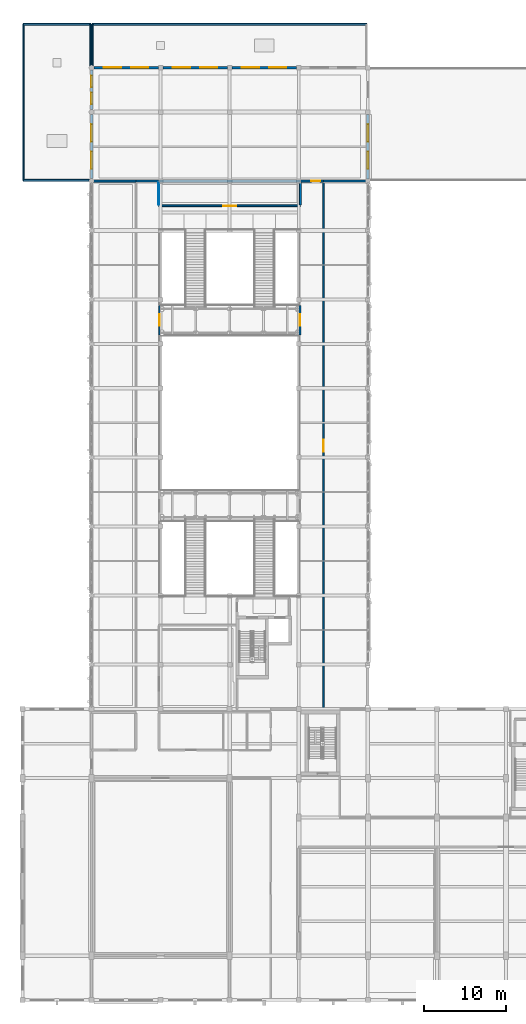
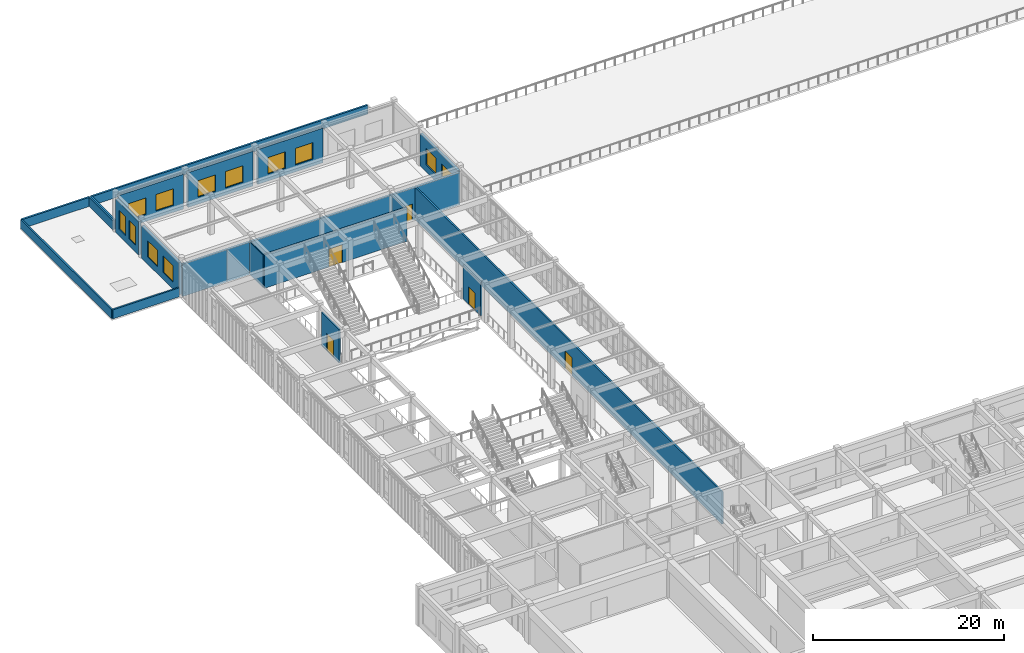
# One storey, part 77 of 93: 23 walls, 12 windows, 5 doors, 17 openings.
"""IFC4 building model written with IfcOpenShell, lengths in metres."""

from ifc_helpers import new_model, si_unit, direction, frame, frame_2d, origin, place, context, subcontext, project, spatial, rectangle, extrude, material, layer, layer_set, type_object, element, fill, save


model = new_model("IFC4")

# Units and contexts
model_context = context("Model", 3, precision=1e-05, world=origin(), true_north=direction((0.0, 1.0)))
body_context = subcontext(model_context, "Body", "Model", "MODEL_VIEW")
ifc_project = project(units=[si_unit("LENGTHUNIT", "METRE"), si_unit("AREAUNIT", "SQUARE_METRE"), si_unit("VOLUMEUNIT", "CUBIC_METRE"), si_unit("PLANEANGLEUNIT", "RADIAN"), si_unit("MASSUNIT", "GRAM", prefix="KILO")], contexts=[model_context])

# Site, building, storey
site_placement = place(None, origin())
site = spatial("IfcSite", under=ifc_project, at=site_placement, CompositionType="ELEMENT")
building_placement = place(site_placement, origin())
building = spatial("IfcBuilding", under=site, at=building_placement, Name="Krzemoval Escarpment Law Courts", CompositionType="ELEMENT")
storey_placement = place(building_placement, frame((0.0, 0.0, 10.199951171875)))
storey = spatial("IfcBuildingStorey", under=building, at=storey_placement, Name="L02", CompositionType="ELEMENT", Elevation=10.199951171875)

# Wall, openings, windows
ifc_material_1 = material(Name="Precast concrete C40/50", Category="concrete")
ifc_layer_1 = layer(ifc_material_1, 0.300048828125)
ifc_layer_set_1 = layer_set([ifc_layer_1], Name="Precast concrete C40/50")
wall_type_1 = type_object("IfcWallType", Name="WL-EXT-300", PredefinedType="SOLIDWALL", material=ifc_layer_set_1)
wall_1_placement = place(storey_placement, frame((8.39990234375, 99.89990234375, 0.0), z_axis=(0.0, 0.0, 1.0), x_axis=(0.0, 1.0, 0.0)))
wall_1 = element("IfcWall", 1, at=wall_1_placement, inside=storey, type_object=wall_type_1, Name="Exterior Wall EW-L02-0267", PredefinedType="SOLIDWALL", context=body_context, shape_type="SweptSolid", body=[
    extrude(rectangle(XDim=7.800048828125, YDim=0.300048828125, at=frame_2d((3.89990234375, 0.0))), origin(), (0.0, 0.0, 1.0), 4.1201171875),
])
opening_1_placement = place(wall_1_placement, frame((1.199951171875, 0.0, 0.89990234375)))
opening_1 = element("IfcOpeningElement", 2, at=opening_1_placement, cuts=wall_1, Name="Opening WN-L02-0282", PredefinedType="OPENING", context=body_context, shape_type="SweptSolid", body=[
    extrude(rectangle(XDim=2.10009765625, YDim=2.10009765625, at=frame_2d((1.050048828125, 1.050048828125))), frame((0.0, 0.16502, 0.0), z_axis=(0.0, -1.0, 0.0), x_axis=(1.0, 0.0, 0.0)), (0.0, 0.0, 1.0), 0.33005),
])
opening_2_placement = place(wall_1_placement, frame((4.5, 0.0, 0.89990234375)))
opening_2 = element("IfcOpeningElement", 3, at=opening_2_placement, cuts=wall_1, Name="Opening WN-L02-0283", PredefinedType="OPENING", context=body_context, shape_type="SweptSolid", body=[
    extrude(rectangle(XDim=2.10009765625, YDim=2.10009765625, at=frame_2d((1.050048828125, 1.050048828125))), frame((0.0, 0.16502, 0.0), z_axis=(0.0, -1.0, 0.0), x_axis=(1.0, 0.0, 0.0)), (0.0, 0.0, 1.0), 0.33005),
])
ifc_material_2 = material(Name="Thermally Broken Aluminium Frame with Triple Low-E Acoustic Glass", Category="aluminium")
window_type_1 = type_object("IfcWindowType", Name="WN-2100x2100", PartitioningType="SINGLE_PANEL", PredefinedType="WINDOW", material=ifc_material_2)
window_1_placement = place(opening_1_placement, origin())
window_1 = element("IfcWindow", 4, at=window_1_placement, inside=storey, type_object=window_type_1, Name="Facade Window WN-L02-0282", OverallHeight=2.10009765625, OverallWidth=2.10009765625, PartitioningType="SINGLE_PANEL", PredefinedType="WINDOW", context=body_context, shape_type="SweptSolid", body=[
    extrude(rectangle(XDim=2.10009765625, YDim=2.10009765625, at=frame_2d((1.050048828125, 1.050048828125))), frame((0.0, 0.030029296875, 0.0), z_axis=(0.0, -1.0, 0.0), x_axis=(1.0, 0.0, 0.0)), (0.0, 0.0, 1.0), 0.06005859375),
])
fill(opening_1, window_1)
window_2_placement = place(opening_2_placement, origin())
window_2 = element("IfcWindow", 5, at=window_2_placement, inside=storey, type_object=window_type_1, Name="Facade Window WN-L02-0283", OverallHeight=2.10009765625, OverallWidth=2.10009765625, PartitioningType="SINGLE_PANEL", PredefinedType="WINDOW", context=body_context, shape_type="SweptSolid", body=[
    extrude(rectangle(XDim=2.10009765625, YDim=2.10009765625, at=frame_2d((1.050048828125, 1.050048828125))), frame((0.0, 0.030029296875, 0.0), z_axis=(0.0, -1.0, 0.0), x_axis=(1.0, 0.0, 0.0)), (0.0, 0.0, 1.0), 0.06005859375),
])
fill(opening_2, window_2)

wall_2_placement = place(storey_placement, frame((8.39990234375, 108.300048828125, 0.0), z_axis=(0.0, 0.0, 1.0), x_axis=(0.0, 1.0, 0.0)))
wall_2 = element("IfcWall", 6, at=wall_2_placement, inside=storey, type_object=wall_type_1, Name="Exterior Wall EW-L02-0268", PredefinedType="SOLIDWALL", context=body_context, shape_type="SweptSolid", body=[
    extrude(rectangle(XDim=4.800048828125, YDim=0.300048828125, at=frame_2d((2.39990234375, 0.0))), origin(), (0.0, 0.0, 1.0), 4.27001953125),
])
opening_3_placement = place(wall_2_placement, frame((0.6669921875, 0.0, 0.85009765625)))
opening_3 = element("IfcOpeningElement", 7, at=opening_3_placement, cuts=wall_2, Name="Opening WN-L02-0284", PredefinedType="OPENING", context=body_context, shape_type="SweptSolid", body=[
    extrude(rectangle(XDim=1.39990234375, YDim=2.39990234375, at=frame_2d((0.699951171875, 1.199951171875))), frame((0.0, 0.16502, 0.0), z_axis=(0.0, -1.0, 0.0), x_axis=(1.0, 0.0, 0.0)), (0.0, 0.0, 1.0), 0.33005),
])
opening_4_placement = place(wall_2_placement, frame((2.73291015625, 0.0, 0.85009765625)))
opening_4 = element("IfcOpeningElement", 8, at=opening_4_placement, cuts=wall_2, Name="Opening WN-L02-0285", PredefinedType="OPENING", context=body_context, shape_type="SweptSolid", body=[
    extrude(rectangle(XDim=1.39990234375, YDim=2.39990234375, at=frame_2d((0.699951171875, 1.199951171875))), frame((0.0, 0.16502, 0.0), z_axis=(0.0, -1.0, 0.0), x_axis=(1.0, 0.0, 0.0)), (0.0, 0.0, 1.0), 0.33005),
])
ifc_material_3 = material(Name="Thermally Broken Aluminium Frame with Triple Low-E Acoustic Glass", Category="aluminium")
window_type_2 = type_object("IfcWindowType", Name="WN-1400x2400", PartitioningType="SINGLE_PANEL", PredefinedType="WINDOW", material=ifc_material_3)
window_3_placement = place(opening_3_placement, origin())
window_3 = element("IfcWindow", 9, at=window_3_placement, inside=storey, type_object=window_type_2, Name="Facade Window WN-L02-0284", OverallHeight=2.39990234375, OverallWidth=1.39990234375, PartitioningType="SINGLE_PANEL", PredefinedType="WINDOW", context=body_context, shape_type="SweptSolid", body=[
    extrude(rectangle(XDim=1.39990234375, YDim=2.39990234375, at=frame_2d((0.699951171875, 1.199951171875))), frame((0.0, 0.030029296875, 0.0), z_axis=(0.0, -1.0, 0.0), x_axis=(1.0, 0.0, 0.0)), (0.0, 0.0, 1.0), 0.06005859375),
])
fill(opening_3, window_3)
window_4_placement = place(opening_4_placement, origin())
window_4 = element("IfcWindow", 10, at=window_4_placement, inside=storey, type_object=window_type_2, Name="Facade Window WN-L02-0285", OverallHeight=2.39990234375, OverallWidth=1.39990234375, PartitioningType="SINGLE_PANEL", PredefinedType="WINDOW", context=body_context, shape_type="SweptSolid", body=[
    extrude(rectangle(XDim=1.39990234375, YDim=2.39990234375, at=frame_2d((0.699951171875, 1.199951171875))), frame((0.0, 0.030029296875, 0.0), z_axis=(0.0, -1.0, 0.0), x_axis=(1.0, 0.0, 0.0)), (0.0, 0.0, 1.0), 0.06005859375),
])
fill(opening_4, window_4)

wall_3_placement = place(storey_placement, frame((8.699951171875, 113.39990234375, 0.0), z_axis=(0.0, 0.0, 1.0), x_axis=(1.0, 0.0, 0.0)))
wall_3 = element("IfcWall", 11, at=wall_3_placement, inside=storey, type_object=wall_type_1, Name="Exterior Wall EW-L02-0269", PredefinedType="SOLIDWALL", context=body_context, shape_type="SweptSolid", body=[
    extrude(rectangle(XDim=7.824951171875, YDim=0.300048828125, at=frame_2d((3.91259765625, 0.0))), origin(), (0.0, 0.0, 1.0), 4.429931640625),
])
opening_5_placement = place(wall_3_placement, frame((1.2080078125, 0.0, 0.89990234375)))
opening_5 = element("IfcOpeningElement", 12, at=opening_5_placement, cuts=wall_3, Name="Opening WN-L02-0286", PredefinedType="OPENING", context=body_context, shape_type="SweptSolid", body=[
    extrude(rectangle(XDim=2.10009765625, YDim=2.10009765625, at=frame_2d((1.050048828125, 1.050048828125))), frame((0.0, 0.16502, 0.0), z_axis=(0.0, -1.0, 0.0), x_axis=(1.0, 0.0, 0.0)), (0.0, 0.0, 1.0), 0.33005),
])
opening_6_placement = place(wall_3_placement, frame((4.51708984375, 0.0, 0.89990234375)))
opening_6 = element("IfcOpeningElement", 13, at=opening_6_placement, cuts=wall_3, Name="Opening WN-L02-0287", PredefinedType="OPENING", context=body_context, shape_type="SweptSolid", body=[
    extrude(rectangle(XDim=2.10009765625, YDim=2.10009765625, at=frame_2d((1.050048828125, 1.050048828125))), frame((0.0, 0.16502, 0.0), z_axis=(0.0, -1.0, 0.0), x_axis=(1.0, 0.0, 0.0)), (0.0, 0.0, 1.0), 0.33005),
])
window_5_placement = place(opening_5_placement, origin())
window_5 = element("IfcWindow", 14, at=window_5_placement, inside=storey, type_object=window_type_1, Name="Facade Window WN-L02-0286", OverallHeight=2.10009765625, OverallWidth=2.10009765625, PartitioningType="SINGLE_PANEL", PredefinedType="WINDOW", context=body_context, shape_type="SweptSolid", body=[
    extrude(rectangle(XDim=2.10009765625, YDim=2.10009765625, at=frame_2d((1.050048828125, 1.050048828125))), frame((0.0, 0.030029296875, 0.0), z_axis=(0.0, -1.0, 0.0), x_axis=(1.0, 0.0, 0.0)), (0.0, 0.0, 1.0), 0.06005859375),
])
fill(opening_5, window_5)
window_6_placement = place(opening_6_placement, origin())
window_6 = element("IfcWindow", 15, at=window_6_placement, inside=storey, type_object=window_type_1, Name="Facade Window WN-L02-0287", OverallHeight=2.10009765625, OverallWidth=2.10009765625, PartitioningType="SINGLE_PANEL", PredefinedType="WINDOW", context=body_context, shape_type="SweptSolid", body=[
    extrude(rectangle(XDim=2.10009765625, YDim=2.10009765625, at=frame_2d((1.050048828125, 1.050048828125))), frame((0.0, 0.030029296875, 0.0), z_axis=(0.0, -1.0, 0.0), x_axis=(1.0, 0.0, 0.0)), (0.0, 0.0, 1.0), 0.06005859375),
])
fill(opening_6, window_6)

wall_4_placement = place(storey_placement, frame((17.074951171875, 113.39990234375, 0.0), z_axis=(0.0, 0.0, 1.0), x_axis=(1.0, 0.0, 0.0)))
wall_4 = element("IfcWall", 16, at=wall_4_placement, inside=storey, type_object=wall_type_1, Name="Exterior Wall EW-L02-0270", PredefinedType="SOLIDWALL", context=body_context, shape_type="SweptSolid", body=[
    extrude(rectangle(XDim=7.85009765625, YDim=0.300048828125, at=frame_2d((3.925048828125, 0.0))), origin(), (0.0, 0.0, 1.0), 4.429931640625),
])
opening_7_placement = place(wall_4_placement, frame((1.217041015625, 0.0, 0.89990234375)))
opening_7 = element("IfcOpeningElement", 17, at=opening_7_placement, cuts=wall_4, Name="Opening WN-L02-0288", PredefinedType="OPENING", context=body_context, shape_type="SweptSolid", body=[
    extrude(rectangle(XDim=2.10009765625, YDim=2.10009765625, at=frame_2d((1.050048828125, 1.050048828125))), frame((0.0, 0.16502, 0.0), z_axis=(0.0, -1.0, 0.0), x_axis=(1.0, 0.0, 0.0)), (0.0, 0.0, 1.0), 0.33005),
])
opening_8_placement = place(wall_4_placement, frame((4.532958984375, 0.0, 0.89990234375)))
opening_8 = element("IfcOpeningElement", 18, at=opening_8_placement, cuts=wall_4, Name="Opening WN-L02-0289", PredefinedType="OPENING", context=body_context, shape_type="SweptSolid", body=[
    extrude(rectangle(XDim=2.10009765625, YDim=2.10009765625, at=frame_2d((1.050048828125, 1.050048828125))), frame((0.0, 0.16502, 0.0), z_axis=(0.0, -1.0, 0.0), x_axis=(1.0, 0.0, 0.0)), (0.0, 0.0, 1.0), 0.33005),
])
window_7_placement = place(opening_7_placement, origin())
window_7 = element("IfcWindow", 19, at=window_7_placement, inside=storey, type_object=window_type_1, Name="Facade Window WN-L02-0288", OverallHeight=2.10009765625, OverallWidth=2.10009765625, PartitioningType="SINGLE_PANEL", PredefinedType="WINDOW", context=body_context, shape_type="SweptSolid", body=[
    extrude(rectangle(XDim=2.10009765625, YDim=2.10009765625, at=frame_2d((1.050048828125, 1.050048828125))), frame((0.0, 0.030029296875, 0.0), z_axis=(0.0, -1.0, 0.0), x_axis=(1.0, 0.0, 0.0)), (0.0, 0.0, 1.0), 0.06005859375),
])
fill(opening_7, window_7)
window_8_placement = place(opening_8_placement, origin())
window_8 = element("IfcWindow", 20, at=window_8_placement, inside=storey, type_object=window_type_1, Name="Facade Window WN-L02-0289", OverallHeight=2.10009765625, OverallWidth=2.10009765625, PartitioningType="SINGLE_PANEL", PredefinedType="WINDOW", context=body_context, shape_type="SweptSolid", body=[
    extrude(rectangle(XDim=2.10009765625, YDim=2.10009765625, at=frame_2d((1.050048828125, 1.050048828125))), frame((0.0, 0.030029296875, 0.0), z_axis=(0.0, -1.0, 0.0), x_axis=(1.0, 0.0, 0.0)), (0.0, 0.0, 1.0), 0.06005859375),
])
fill(opening_8, window_8)

wall_5_placement = place(storey_placement, frame((25.47509765625, 113.39990234375, 0.0), z_axis=(0.0, 0.0, 1.0), x_axis=(1.0, 0.0, 0.0)))
wall_5 = element("IfcWall", 21, at=wall_5_placement, inside=storey, type_object=wall_type_1, Name="Exterior Wall EW-L02-0271", PredefinedType="SOLIDWALL", context=body_context, shape_type="SweptSolid", body=[
    extrude(rectangle(XDim=7.849853515625, YDim=0.300048828125, at=frame_2d((3.9248046875, 0.0))), origin(), (0.0, 0.0, 1.0), 4.429931640625),
])
opening_9_placement = place(wall_5_placement, frame((1.217041015625, 0.0, 0.89990234375)))
opening_9 = element("IfcOpeningElement", 22, at=opening_9_placement, cuts=wall_5, Name="Opening WN-L02-0290", PredefinedType="OPENING", context=body_context, shape_type="SweptSolid", body=[
    extrude(rectangle(XDim=2.10009765625, YDim=2.10009765625, at=frame_2d((1.050048828125, 1.050048828125))), frame((0.0, 0.16502, 0.0), z_axis=(0.0, -1.0, 0.0), x_axis=(1.0, 0.0, 0.0)), (0.0, 0.0, 1.0), 0.33005),
])
opening_10_placement = place(wall_5_placement, frame((4.532958984375, 0.0, 0.89990234375)))
opening_10 = element("IfcOpeningElement", 23, at=opening_10_placement, cuts=wall_5, Name="Opening WN-L02-0291", PredefinedType="OPENING", context=body_context, shape_type="SweptSolid", body=[
    extrude(rectangle(XDim=2.10009765625, YDim=2.10009765625, at=frame_2d((1.050048828125, 1.050048828125))), frame((0.0, 0.16502, 0.0), z_axis=(0.0, -1.0, 0.0), x_axis=(1.0, 0.0, 0.0)), (0.0, 0.0, 1.0), 0.33005),
])
window_9_placement = place(opening_9_placement, origin())
window_9 = element("IfcWindow", 24, at=window_9_placement, inside=storey, type_object=window_type_1, Name="Facade Window WN-L02-0290", OverallHeight=2.10009765625, OverallWidth=2.10009765625, PartitioningType="SINGLE_PANEL", PredefinedType="WINDOW", context=body_context, shape_type="SweptSolid", body=[
    extrude(rectangle(XDim=2.10009765625, YDim=2.10009765625, at=frame_2d((1.050048828125, 1.050048828125))), frame((0.0, 0.030029296875, 0.0), z_axis=(0.0, -1.0, 0.0), x_axis=(1.0, 0.0, 0.0)), (0.0, 0.0, 1.0), 0.06005859375),
])
fill(opening_9, window_9)
window_10_placement = place(opening_10_placement, origin())
window_10 = element("IfcWindow", 25, at=window_10_placement, inside=storey, type_object=window_type_1, Name="Facade Window WN-L02-0291", OverallHeight=2.10009765625, OverallWidth=2.10009765625, PartitioningType="SINGLE_PANEL", PredefinedType="WINDOW", context=body_context, shape_type="SweptSolid", body=[
    extrude(rectangle(XDim=2.10009765625, YDim=2.10009765625, at=frame_2d((1.050048828125, 1.050048828125))), frame((0.0, 0.030029296875, 0.0), z_axis=(0.0, -1.0, 0.0), x_axis=(1.0, 0.0, 0.0)), (0.0, 0.0, 1.0), 0.06005859375),
])
fill(opening_10, window_10)

wall_6_placement = place(storey_placement, frame((42.0, 107.72509765625, 0.0), z_axis=(0.0, 0.0, 1.0), x_axis=(0.0, -1.0, 0.0)))
wall_6 = element("IfcWall", 26, at=wall_6_placement, inside=storey, type_object=wall_type_1, Name="Exterior Wall EW-L02-0274", PredefinedType="SOLIDWALL", context=body_context, shape_type="SweptSolid", body=[
    extrude(rectangle(XDim=7.85009765625, YDim=0.300048828125, at=frame_2d((3.925048828125, 0.0))), origin(), (0.0, 0.0, 1.0), 4.1201171875),
])
opening_11_placement = place(wall_6_placement, frame((1.217041015625, 0.0, 0.89990234375)))
opening_11 = element("IfcOpeningElement", 27, at=opening_11_placement, cuts=wall_6, Name="Opening WN-L02-0294", PredefinedType="OPENING", context=body_context, shape_type="SweptSolid", body=[
    extrude(rectangle(XDim=2.10009765625, YDim=2.10009765625, at=frame_2d((1.050048828125, 1.050048828125))), frame((0.0, 0.16502, 0.0), z_axis=(0.0, -1.0, 0.0), x_axis=(1.0, 0.0, 0.0)), (0.0, 0.0, 1.0), 0.33005),
])
opening_12_placement = place(wall_6_placement, frame((4.532958984375, 0.0, 0.89990234375)))
opening_12 = element("IfcOpeningElement", 28, at=opening_12_placement, cuts=wall_6, Name="Opening WN-L02-0295", PredefinedType="OPENING", context=body_context, shape_type="SweptSolid", body=[
    extrude(rectangle(XDim=2.10009765625, YDim=2.10009765625, at=frame_2d((1.050048828125, 1.050048828125))), frame((0.0, 0.16502, 0.0), z_axis=(0.0, -1.0, 0.0), x_axis=(1.0, 0.0, 0.0)), (0.0, 0.0, 1.0), 0.33005),
])
window_11_placement = place(opening_11_placement, origin())
window_11 = element("IfcWindow", 29, at=window_11_placement, inside=storey, type_object=window_type_1, Name="Facade Window WN-L02-0294", OverallHeight=2.10009765625, OverallWidth=2.10009765625, PartitioningType="SINGLE_PANEL", PredefinedType="WINDOW", context=body_context, shape_type="SweptSolid", body=[
    extrude(rectangle(XDim=2.10009765625, YDim=2.10009765625, at=frame_2d((1.050048828125, 1.050048828125))), frame((0.0, 0.030029296875, 0.0), z_axis=(0.0, -1.0, 0.0), x_axis=(1.0, 0.0, 0.0)), (0.0, 0.0, 1.0), 0.06005859375),
])
fill(opening_11, window_11)
window_12_placement = place(opening_12_placement, origin())
window_12 = element("IfcWindow", 30, at=window_12_placement, inside=storey, type_object=window_type_1, Name="Facade Window WN-L02-0295", OverallHeight=2.10009765625, OverallWidth=2.10009765625, PartitioningType="SINGLE_PANEL", PredefinedType="WINDOW", context=body_context, shape_type="SweptSolid", body=[
    extrude(rectangle(XDim=2.10009765625, YDim=2.10009765625, at=frame_2d((1.050048828125, 1.050048828125))), frame((0.0, 0.030029296875, 0.0), z_axis=(0.0, -1.0, 0.0), x_axis=(1.0, 0.0, 0.0)), (0.0, 0.0, 1.0), 0.06005859375),
])
fill(opening_12, window_12)

# Walls
ifc_material_4 = material(Name="Precast concrete C40/50", Category="concrete")
ifc_layer_2 = layer(ifc_material_4, 0.179931640625)
ifc_layer_set_2 = layer_set([ifc_layer_2], Name="Precast concrete C40/50")
wall_type_2 = type_object("IfcWallType", Name="WL-PAR-180", PredefinedType="PARAPET", material=ifc_layer_set_2)
wall_7_placement = place(storey_placement, frame((8.2900390625, 113.6240234375, 0.0), z_axis=(0.0, 0.0, 1.0), x_axis=(0.0, 1.0, 0.0)))
element("IfcWall", 31, at=wall_7_placement, inside=storey, type_object=wall_type_2, Name="Roof Parapet PR-L02-002", PredefinedType="PARAPET", context=body_context, shape_type="SweptSolid", body=[
    extrude(rectangle(XDim=5.06591796875, YDim=0.179931640625, at=frame_2d((2.532958984375, 0.0))), origin(), (0.0, 0.0, 1.0), 1.150146484375),
])
ifc_material_5 = material(Name="Precast concrete C40/50", Category="concrete")
ifc_layer_3 = layer(ifc_material_5, 0.199951171875)
ifc_layer_set_3 = layer_set([ifc_layer_3], Name="Precast concrete C40/50")
wall_type_3 = type_object("IfcWallType", Name="WL-PAR-200", PredefinedType="PARAPET", material=ifc_layer_set_3)
wall_8_placement = place(storey_placement, frame((0.110107421875, 99.7099609375, 0.0), z_axis=(0.0, 0.0, 1.0), x_axis=(1.0, 0.0, 0.0)))
element("IfcWall", 32, at=wall_8_placement, inside=storey, type_object=wall_type_3, Name="Roof Parapet PR-L02-001", PredefinedType="PARAPET", context=body_context, shape_type="SweptSolid", body=[
    extrude(rectangle(XDim=8.039794921875, YDim=0.199951171875, at=frame_2d((4.02001953125, 0.0))), origin(), (0.0, 0.0, 1.0), 1.150146484375),
])
wall_9_placement = place(storey_placement, frame((0.110107421875, 118.68994140625, 0.0), z_axis=(0.0, 0.0, 1.0), x_axis=(0.0, -1.0, 0.0)))
element("IfcWall", 33, at=wall_9_placement, inside=storey, type_object=wall_type_3, Name="Roof Parapet PR-L02-004", PredefinedType="PARAPET", context=body_context, shape_type="SweptSolid", body=[
    extrude(rectangle(XDim=18.97998046875, YDim=0.199951171875, at=frame_2d((9.489990234375, 0.0))), origin(), (0.0, 0.0, 1.0), 1.150146484375),
])
wall_10_placement = place(storey_placement, frame((8.510009765625, 118.68994140625, 0.0), z_axis=(0.0, 0.0, 1.0), x_axis=(0.0, -1.0, 0.0)))
element("IfcWall", 34, at=wall_10_placement, inside=storey, type_object=wall_type_3, Name="Roof Parapet PR-L02-007", PredefinedType="PARAPET", context=body_context, shape_type="SweptSolid", body=[
    extrude(rectangle(XDim=5.0400390625, YDim=0.199951171875, at=frame_2d((2.52001953125, 0.0))), origin(), (0.0, 0.0, 1.0), 1.150146484375),
])
ifc_material_6 = material(Name="Precast concrete C40/50", Category="concrete")
ifc_layer_4 = layer(ifc_material_6, 0.219970703125)
ifc_layer_set_4 = layer_set([ifc_layer_4], Name="Precast concrete C40/50")
wall_type_4 = type_object("IfcWallType", Name="WL-PAR-220", PredefinedType="PARAPET", material=ifc_layer_set_4)
wall_11_placement = place(storey_placement, frame((8.2900390625, 118.68994140625, 0.0), z_axis=(0.0, 0.0, 1.0), x_axis=(-1.0, 0.0, 0.0)))
element("IfcWall", 35, at=wall_11_placement, inside=storey, type_object=wall_type_4, Name="Roof Parapet PR-L02-003", PredefinedType="PARAPET", context=body_context, shape_type="SweptSolid", body=[
    extrude(rectangle(XDim=8.179931640625, YDim=0.219970703125, at=frame_2d((4.08984375, 0.0))), origin(), (0.0, 0.0, 1.0), 1.150146484375),
])
wall_12_placement = place(storey_placement, frame((41.85009765625, 118.68994140625, 0.0), z_axis=(0.0, 0.0, 1.0), x_axis=(-1.0, 0.0, 0.0)))
element("IfcWall", 36, at=wall_12_placement, inside=storey, type_object=wall_type_4, Name="Roof Parapet PR-L02-006", PredefinedType="PARAPET", context=body_context, shape_type="SweptSolid", body=[
    extrude(rectangle(XDim=33.340087890625, YDim=0.219970703125, at=frame_2d((16.669921875, 0.0))), origin(), (0.0, 0.0, 1.0), 1.150146484375),
])
ifc_material_7 = material(Name="Light Internal Subdivision Partition", Category="gypsum")
ifc_layer_5 = layer(ifc_material_7, 0.114990234375)
ifc_layer_set_5 = layer_set([ifc_layer_5], Name="Light Internal Subdivision Partition")
wall_type_5 = type_object("IfcWallType", Name="WL-PRT-115", PredefinedType="PARTITIONING", material=ifc_layer_set_5)
wall_13_placement = place(storey_placement, frame((16.60009765625, 96.701904296875, 0.0), z_axis=(0.0, 0.0, 1.0), x_axis=(0.0, 1.0, 0.0)))
element("IfcWall", 37, at=wall_13_placement, inside=storey, type_object=wall_type_5, Name="Interior Partition PW-L02-0429", PredefinedType="PARTITIONING", context=body_context, shape_type="SweptSolid", body=[
    extrude(rectangle(XDim=2.76611328125, YDim=0.114990234375, at=frame_2d((1.383056640625, 0.0))), origin(), (0.0, 0.0, 1.0), 4.1201171875),
])

# Wall, opening, door
ifc_material_8 = material(Name="Fire-Rated Corridor Partition Wall", Category="gypsum")
ifc_layer_6 = layer(ifc_material_8, 0.199951171875)
ifc_layer_set_6 = layer_set([ifc_layer_6], Name="Fire-Rated Corridor Partition Wall")
wall_type_6 = type_object("IfcWallType", Name="WL-PRT-200", PredefinedType="PARTITIONING", material=ifc_layer_set_6)
wall_14_placement = place(storey_placement, frame((16.64990234375, 80.8701171875, 0.0), z_axis=(0.0, 0.0, 1.0), x_axis=(0.0, 1.0, 0.0)))
wall_14 = element("IfcWall", 38, at=wall_14_placement, inside=storey, type_object=wall_type_6, Name="Atrium Bridge Smoke Portal Wall PW-L02-0009", PredefinedType="PARTITIONING", context=body_context, shape_type="SweptSolid", body=[
    extrude(rectangle(XDim=3.6298828125, YDim=0.199951171875, at=frame_2d((1.81494140625, 0.0))), origin(), (0.0, 0.0, 1.0), 4.27001953125),
])
opening_13_placement = place(wall_14_placement, frame((1.114990234375, 0.0, 0.0)))
opening_13 = element("IfcOpeningElement", 39, at=opening_13_placement, cuts=wall_14, Name="Opening D-L02-0009", PredefinedType="OPENING", context=body_context, shape_type="SweptSolid", body=[
    extrude(rectangle(XDim=1.39990234375, YDim=2.199951171875, at=frame_2d((0.699951171875, 1.10009765625))), frame((0.0, 0.11498, 0.0), z_axis=(0.0, -1.0, 0.0), x_axis=(1.0, 0.0, 0.0)), (0.0, 0.0, 1.0), 0.22995),
])
ifc_material_9 = material(Name="Galvanised Steel S355", Category="steel")
door_type_1 = type_object("IfcDoorType", Name="DR-FFL-1400x2200", OperationType="SINGLE_SWING_LEFT", PredefinedType="DOOR", material=ifc_material_9)
door_1_placement = place(opening_13_placement, origin())
door_1 = element("IfcDoor", 40, at=door_1_placement, inside=storey, type_object=door_type_1, Name="Atrium Bridge Smoke Door D-L02-0009", OperationType="SINGLE_SWING_LEFT", OverallHeight=2.199951171875, OverallWidth=1.39990234375, PredefinedType="DOOR", context=body_context, shape_type="SweptSolid", body=[
    extrude(rectangle(XDim=1.39990234375, YDim=2.199951171875, at=frame_2d((0.699951171875, 1.10009765625))), frame((0.0, 0.02490234375, 0.0), z_axis=(0.0, -1.0, 0.0), x_axis=(1.0, 0.0, 0.0)), (0.0, 0.0, 1.0), 0.050048828125),
])
fill(opening_13, door_1)

wall_15_placement = place(storey_placement, frame((33.75, 80.8701171875, 0.0), z_axis=(0.0, 0.0, 1.0), x_axis=(0.0, 1.0, 0.0)))
wall_15 = element("IfcWall", 41, at=wall_15_placement, inside=storey, type_object=wall_type_6, Name="Atrium Bridge Smoke Portal Wall PW-L02-0010", PredefinedType="PARTITIONING", context=body_context, shape_type="SweptSolid", body=[
    extrude(rectangle(XDim=3.6298828125, YDim=0.199951171875, at=frame_2d((1.81494140625, 0.0))), origin(), (0.0, 0.0, 1.0), 4.27001953125),
])
opening_14_placement = place(wall_15_placement, frame((1.114990234375, 0.0, 0.0)))
opening_14 = element("IfcOpeningElement", 42, at=opening_14_placement, cuts=wall_15, Name="Opening D-L02-0010", PredefinedType="OPENING", context=body_context, shape_type="SweptSolid", body=[
    extrude(rectangle(XDim=1.39990234375, YDim=2.199951171875, at=frame_2d((0.699951171875, 1.10009765625))), frame((0.0, 0.11498, 0.0), z_axis=(0.0, -1.0, 0.0), x_axis=(1.0, 0.0, 0.0)), (0.0, 0.0, 1.0), 0.22995),
])
door_2_placement = place(opening_14_placement, origin())
door_2 = element("IfcDoor", 43, at=door_2_placement, inside=storey, type_object=door_type_1, Name="Atrium Bridge Smoke Door D-L02-0010", OperationType="SINGLE_SWING_LEFT", OverallHeight=2.199951171875, OverallWidth=1.39990234375, PredefinedType="DOOR", context=body_context, shape_type="SweptSolid", body=[
    extrude(rectangle(XDim=1.39990234375, YDim=2.199951171875, at=frame_2d((0.699951171875, 1.10009765625))), frame((0.0, 0.02490234375, 0.0), z_axis=(0.0, -1.0, 0.0), x_axis=(1.0, 0.0, 0.0)), (0.0, 0.0, 1.0), 0.050048828125),
])
fill(opening_14, door_2)

wall_16_placement = place(storey_placement, frame((16.60009765625, 96.60009765625, 0.0), z_axis=(0.0, 0.0, 1.0), x_axis=(1.0, 0.0, 0.0)))
wall_16 = element("IfcWall", 44, at=wall_16_placement, inside=storey, type_object=wall_type_6, Name="Interior Partition PW-L02-0407", PredefinedType="PARTITIONING", context=body_context, shape_type="SweptSolid", body=[
    extrude(rectangle(XDim=17.199951171875, YDim=0.199951171875, at=frame_2d((8.60009765625, 0.0))), origin(), (0.0, 0.0, 1.0), 4.27001953125),
])
opening_15_placement = place(wall_16_placement, frame((7.800048828125, 0.0, 0.0)))
opening_15 = element("IfcOpeningElement", 45, at=opening_15_placement, cuts=wall_16, Name="Opening D-L02-0159", PredefinedType="OPENING", context=body_context, shape_type="SweptSolid", body=[
    extrude(rectangle(XDim=1.60009765625, YDim=2.300048828125, at=frame_2d((0.800048828125, 1.14990234375))), frame((0.0, 0.11498, 0.0), z_axis=(0.0, -1.0, 0.0), x_axis=(1.0, 0.0, 0.0)), (0.0, 0.0, 1.0), 0.22995),
])
ifc_material_10 = material(Name="Engineered Solid-Core Oak Acoustic Timber", Category="wood")
door_type_2 = type_object("IfcDoorType", Name="DR-CRT-1600x2300", OperationType="SINGLE_SWING_LEFT", PredefinedType="DOOR", material=ifc_material_10)
door_3_placement = place(opening_15_placement, origin())
door_3 = element("IfcDoor", 46, at=door_3_placement, inside=storey, type_object=door_type_2, Name="Room Door D-L02-0159", OperationType="SINGLE_SWING_LEFT", OverallHeight=2.300048828125, OverallWidth=1.60009765625, PredefinedType="DOOR", context=body_context, shape_type="SweptSolid", body=[
    extrude(rectangle(XDim=1.60009765625, YDim=2.300048828125, at=frame_2d((0.800048828125, 1.14990234375))), frame((0.0, 0.02490234375, 0.0), z_axis=(0.0, -1.0, 0.0), x_axis=(1.0, 0.0, 0.0)), (0.0, 0.0, 1.0), 0.050048828125),
])
fill(opening_15, door_3)

wall_17_placement = place(storey_placement, frame((36.60009765625, 35.39990234375, 0.0), z_axis=(0.0, 0.0, 1.0), x_axis=(0.0, 1.0, 0.0)))
wall_17 = element("IfcWall", 47, at=wall_17_placement, inside=storey, type_object=wall_type_6, Name="Interior Partition PW-L02-0442", PredefinedType="PARTITIONING", context=body_context, shape_type="SweptSolid", body=[
    extrude(rectangle(XDim=64.068115234375, YDim=0.199951171875, at=frame_2d((32.0341796875, 0.0))), origin(), (0.0, 0.0, 1.0), 4.1201171875),
])
opening_16_placement = place(wall_17_placement, frame((31.30908203125, 0.0, 0.0)))
opening_16 = element("IfcOpeningElement", 48, at=opening_16_placement, cuts=wall_17, Name="Opening D-L02-0158", PredefinedType="OPENING", context=body_context, shape_type="SweptSolid", body=[
    extrude(rectangle(XDim=1.449951171875, YDim=2.25, at=frame_2d((0.72509765625, 1.125))), frame((0.0, 0.11498, 0.0), z_axis=(0.0, -1.0, 0.0), x_axis=(1.0, 0.0, 0.0)), (0.0, 0.0, 1.0), 0.22995),
])
ifc_material_11 = material(Name="Engineered Solid-Core Oak Acoustic Timber", Category="wood")
door_type_3 = type_object("IfcDoorType", Name="DR-INT-1450x2250", OperationType="SINGLE_SWING_LEFT", PredefinedType="DOOR", material=ifc_material_11)
door_4_placement = place(opening_16_placement, origin())
door_4 = element("IfcDoor", 49, at=door_4_placement, inside=storey, type_object=door_type_3, Name="Room Door D-L02-0158", OperationType="SINGLE_SWING_LEFT", OverallHeight=2.25, OverallWidth=1.449951171875, PredefinedType="DOOR", context=body_context, shape_type="SweptSolid", body=[
    extrude(rectangle(XDim=1.449951171875, YDim=2.25, at=frame_2d((0.72509765625, 1.125))), frame((0.0, 0.02490234375, 0.0), z_axis=(0.0, -1.0, 0.0), x_axis=(1.0, 0.0, 0.0)), (0.0, 0.0, 1.0), 0.050048828125),
])
fill(opening_16, door_4)

# Walls
ifc_material_12 = material(Name="Solid Calcium-Silicate Custody Blockwork Partition", Category="masonry")
ifc_layer_7 = layer(ifc_material_12, 0.219970703125)
ifc_layer_set_7 = layer_set([ifc_layer_7], Name="Solid Calcium-Silicate Custody Blockwork Partition")
wall_type_7 = type_object("IfcWallType", Name="WL-PRT-220", PredefinedType="PARTITIONING", material=ifc_layer_set_7)
wall_18_placement = place(storey_placement, frame((33.800048828125, 96.701904296875, 0.0), z_axis=(0.0, 0.0, 1.0), x_axis=(0.0, 1.0, 0.0)))
element("IfcWall", 50, at=wall_18_placement, inside=storey, type_object=wall_type_7, Name="Interior Partition PW-L02-0441", PredefinedType="PARTITIONING", context=body_context, shape_type="SweptSolid", body=[
    extrude(rectangle(XDim=2.776123046875, YDim=0.219970703125, at=frame_2d((1.38818359375, 0.0))), origin(), (0.0, 0.0, 1.0), 4.1201171875),
])
ifc_material_13 = material(Name="Acoustic Courtroom Partition Assembly", Category="gypsum")
ifc_layer_8 = layer(ifc_material_13, 0.239990234375)
ifc_layer_set_8 = layer_set([ifc_layer_8], Name="Acoustic Courtroom Partition Assembly")
wall_type_8 = type_object("IfcWallType", Name="WL-PRT-240", PredefinedType="PARTITIONING", material=ifc_layer_set_8)
wall_19_placement = place(storey_placement, frame((8.451904296875, 99.60009765625, 0.0), z_axis=(0.0, 0.0, 1.0), x_axis=(1.0, 0.0, 0.0)))
element("IfcWall", 51, at=wall_19_placement, inside=storey, type_object=wall_type_8, Name="Interior Partition PW-L02-0408", PredefinedType="PARTITIONING", context=body_context, shape_type="SweptSolid", body=[
    extrude(rectangle(XDim=5.34814453125, YDim=0.239990234375, at=frame_2d((2.674072265625, 0.0))), origin(), (0.0, 0.0, 1.0), 4.1201171875),
])

# Wall, opening, door
wall_20_placement = place(storey_placement, frame((33.800048828125, 99.60009765625, 0.0), z_axis=(0.0, 0.0, 1.0), x_axis=(1.0, 0.0, 0.0)))
wall_20 = element("IfcWall", 52, at=wall_20_placement, inside=storey, type_object=wall_type_8, Name="Interior Partition PW-L02-0410", PredefinedType="PARTITIONING", context=body_context, shape_type="SweptSolid", body=[
    extrude(rectangle(XDim=2.800048828125, YDim=0.239990234375, at=frame_2d((1.39990234375, 0.0))), origin(), (0.0, 0.0, 1.0), 4.1201171875),
])
opening_17_placement = place(wall_20_placement, frame((1.300048828125, 0.0, 0.0)))
opening_17 = element("IfcOpeningElement", 53, at=opening_17_placement, cuts=wall_20, Name="Opening D-L02-0160", PredefinedType="OPENING", context=body_context, shape_type="SweptSolid", body=[
    extrude(rectangle(XDim=1.10009765625, YDim=2.10009765625, at=frame_2d((0.550048828125, 1.050048828125))), frame((0.0, 0.135, 0.0), z_axis=(0.0, -1.0, 0.0), x_axis=(1.0, 0.0, 0.0)), (0.0, 0.0, 1.0), 0.26999),
])
ifc_material_14 = material(Name="Engineered Solid-Core Oak Acoustic Timber", Category="wood")
door_type_4 = type_object("IfcDoorType", Name="DR-INT-1100x2100", OperationType="SINGLE_SWING_LEFT", PredefinedType="DOOR", material=ifc_material_14)
door_5_placement = place(opening_17_placement, origin())
door_5 = element("IfcDoor", 54, at=door_5_placement, inside=storey, type_object=door_type_4, Name="Room Door D-L02-0160", OperationType="SINGLE_SWING_LEFT", OverallHeight=2.10009765625, OverallWidth=1.10009765625, PredefinedType="DOOR", context=body_context, shape_type="SweptSolid", body=[
    extrude(rectangle(XDim=1.10009765625, YDim=2.10009765625, at=frame_2d((0.550048828125, 1.050048828125))), frame((0.0, 0.02490234375, 0.0), z_axis=(0.0, -1.0, 0.0), x_axis=(1.0, 0.0, 0.0)), (0.0, 0.0, 1.0), 0.050048828125),
])
fill(opening_17, door_5)

# Walls
wall_21_placement = place(storey_placement, frame((16.60009765625, 99.60009765625, 0.0), z_axis=(0.0, 0.0, 1.0), x_axis=(1.0, 0.0, 0.0)))
element("IfcWall", 55, at=wall_21_placement, inside=storey, type_object=wall_type_8, Name="Interior Partition PW-L02-0412", PredefinedType="PARTITIONING", context=body_context, shape_type="SweptSolid", body=[
    extrude(rectangle(XDim=17.199951171875, YDim=0.239990234375, at=frame_2d((8.60009765625, 0.0))), origin(), (0.0, 0.0, 1.0), 4.1201171875),
])
ifc_material_15 = material(Name="Acoustic Double-Stud Gypsum and Mineral Wool Wall", Category="gypsum")
ifc_layer_9 = layer(ifc_material_15, 0.260009765625)
ifc_layer_set_9 = layer_set([ifc_layer_9], Name="Acoustic Double-Stud Gypsum and Mineral Wool Wall")
wall_type_9 = type_object("IfcWallType", Name="WL-PRT-260", PredefinedType="PARTITIONING", material=ifc_layer_set_9)
wall_22_placement = place(storey_placement, frame((13.800048828125, 99.60009765625, 0.0), z_axis=(0.0, 0.0, 1.0), x_axis=(1.0, 0.0, 0.0)))
element("IfcWall", 56, at=wall_22_placement, inside=storey, type_object=wall_type_9, Name="Interior Partition PW-L02-0409", PredefinedType="PARTITIONING", context=body_context, shape_type="SweptSolid", body=[
    extrude(rectangle(XDim=2.800048828125, YDim=0.260009765625, at=frame_2d((1.39990234375, 0.0))), origin(), (0.0, 0.0, 1.0), 4.1201171875),
])
wall_23_placement = place(storey_placement, frame((36.60009765625, 99.60009765625, 0.0), z_axis=(0.0, 0.0, 1.0), x_axis=(1.0, 0.0, 0.0)))
element("IfcWall", 57, at=wall_23_placement, inside=storey, type_object=wall_type_9, Name="Interior Partition PW-L02-0411", PredefinedType="PARTITIONING", context=body_context, shape_type="SweptSolid", body=[
    extrude(rectangle(XDim=5.325927734375, YDim=0.260009765625, at=frame_2d((2.6630859375, 0.0))), origin(), (0.0, 0.0, 1.0), 4.1201171875),
])

save(model, "model.ifc")
